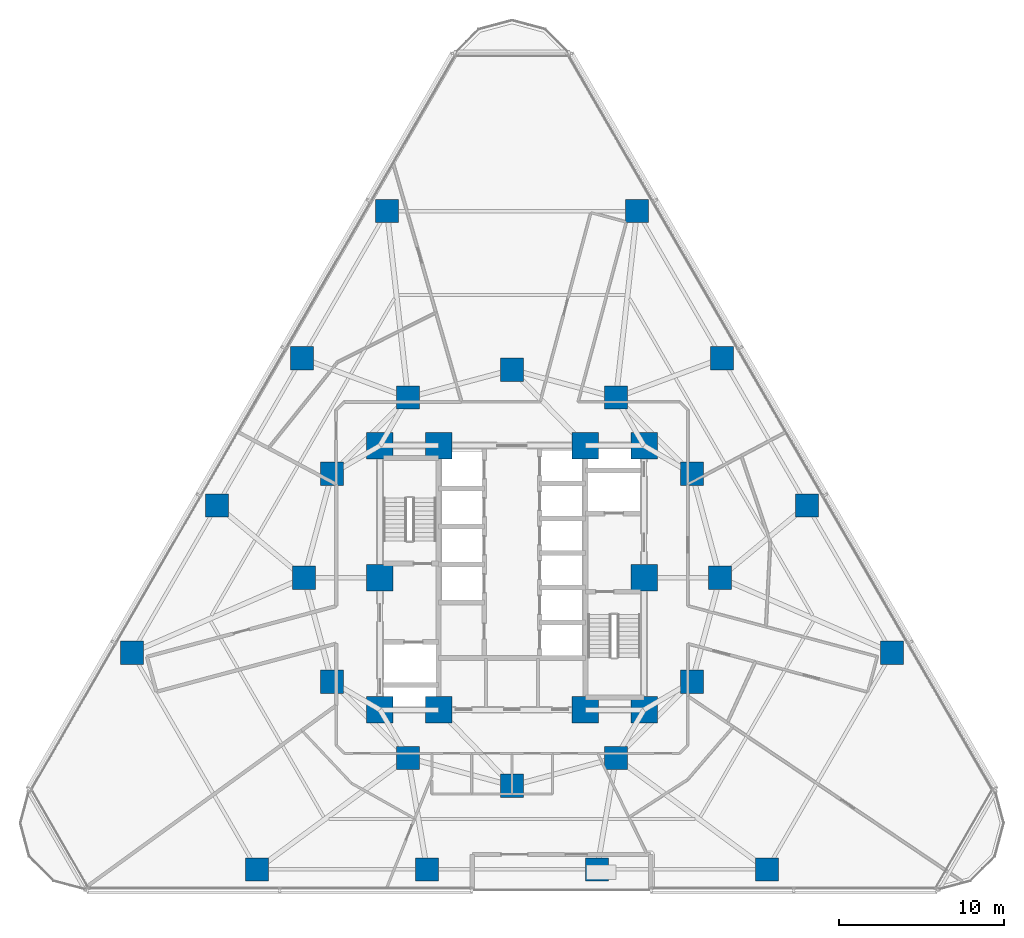
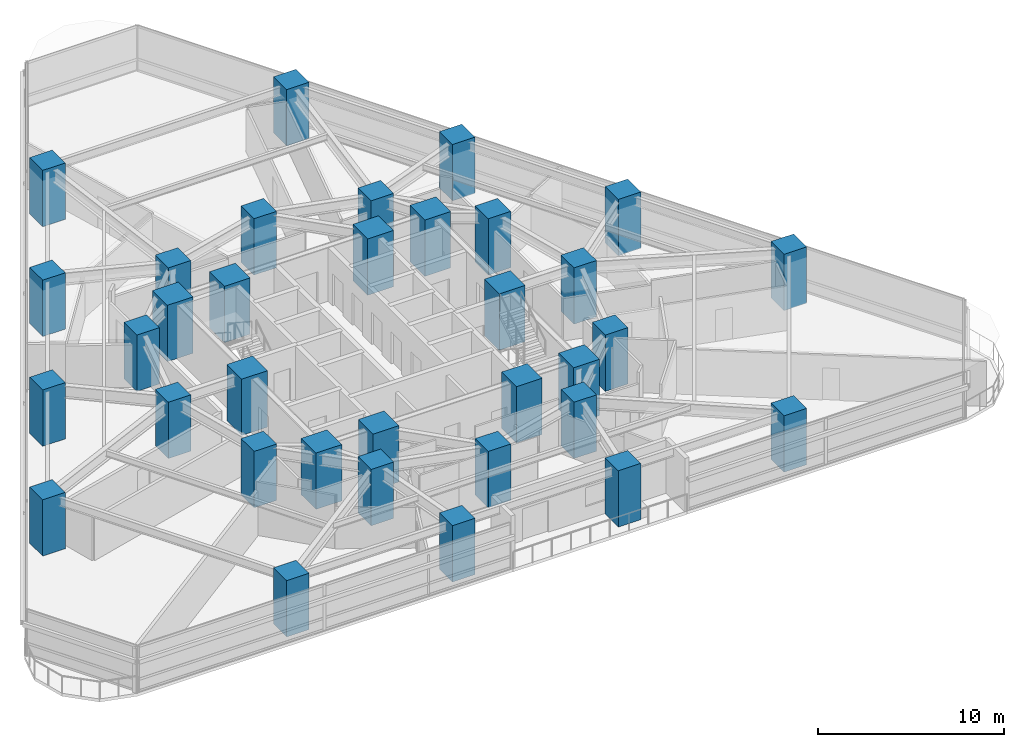
# One storey, part 1 of 16: 34 columns.
"""IFC4 building model written with IfcOpenShell, lengths in metres."""

from ifc_helpers import new_model, si_unit, direction, frame, origin, origin_2d, place, context, subcontext, project, spatial, rectangle, extrude, material, material_profile, profile_set, type_object, element, save


model = new_model("IFC4")

# Units and contexts
model_context = context("Model", 3, precision=1e-05, world=origin(), true_north=direction((0.0, 1.0)))
body_context = subcontext(model_context, "Body", "Model", "MODEL_VIEW")
ifc_project = project(units=[si_unit("LENGTHUNIT", "METRE"), si_unit("AREAUNIT", "SQUARE_METRE"), si_unit("VOLUMEUNIT", "CUBIC_METRE"), si_unit("PLANEANGLEUNIT", "RADIAN"), si_unit("MASSUNIT", "GRAM", prefix="KILO")], contexts=[model_context])

# Site, building, storey
site_placement = place(None, origin())
site = spatial("IfcSite", under=ifc_project, at=site_placement, CompositionType="ELEMENT")
building_placement = place(site_placement, origin())
building = spatial("IfcBuilding", under=site, at=building_placement, Name="Terralouvre Media Tower", CompositionType="ELEMENT")
storey_placement = place(building_placement, frame((0.0, 0.0, 44.5)))
storey = spatial("IfcBuildingStorey", under=building, at=storey_placement, Name="L10", CompositionType="ELEMENT", Elevation=44.5)

# Columns
ifc_material_1 = material(Name="Concrete C60/75", Category="concrete")
ifc_material_profile_1 = material_profile(ifc_material_1, rectangle(XDim=1.39990234375, YDim=1.39990234375, at=origin_2d()), Name="RC 1400x1400")
ifc_profile_set_1 = profile_set([ifc_material_profile_1], Name="Concrete C60/75")
column_type_1 = type_object("IfcColumnType", Name="Structural Column C-RC1400 (RC 1400x1400)", PredefinedType="COLUMN", material=ifc_profile_set_1)
for number, where, z_axis, x_axis, name in (
    (1, (12.60009765625, 0.0, 0.0), (0.0, 0.0, 1.0), (1.0, 0.0, 0.0), "L10 Mega-Frame Column MC01"),
    (2, (10.911865234375, 6.300048828125, 0.0), (0.0, 0.0, 1.0), (1.0, 0.0, 0.0), "L10 Mega-Frame Column MC02"),
    (3, (6.300048828125, 10.911865234375, 0.0), (0.0, 0.0, 1.0), (1.0, 0.0, 0.0), "L10 Mega-Frame Column MC03"),
    (4, (0.0, 12.60009765625, 0.0), (0.0, 0.0, 1.0), (1.0, 0.0, 0.0), "L10 Mega-Frame Column MC04"),
    (5, (-6.300048828125, 10.911865234375, 0.0), (0.0, 0.0, 1.0), (1.0, 0.0, 0.0), "L10 Mega-Frame Column MC05"),
    (6, (-10.911865234375, 6.300048828125, 0.0), (0.0, 0.0, 1.0), (1.0, 0.0, 0.0), "L10 Mega-Frame Column MC06"),
    (7, (-12.60009765625, 0.0, 0.0), (0.0, 0.0, 1.0), (1.0, 0.0, 0.0), "L10 Mega-Frame Column MC07"),
    (8, (-10.911865234375, -6.300048828125, 0.0), (0.0, 0.0, 1.0), (1.0, 0.0, 0.0), "L10 Mega-Frame Column MC08"),
    (9, (-6.300048828125, -10.911865234375, 0.0), (0.0, 0.0, 1.0), (1.0, 0.0, 0.0), "L10 Mega-Frame Column MC09"),
    (10, (0.0, -12.60009765625, 0.0), (0.0, 0.0, 1.0), (1.0, 0.0, 0.0), "L10 Mega-Frame Column MC10"),
    (11, (6.300048828125, -10.911865234375, 0.0), (0.0, 0.0, 1.0), (1.0, 0.0, 0.0), "L10 Mega-Frame Column MC11"),
    (12, (10.911865234375, -6.300048828125, 0.0), (0.0, 0.0, 1.0), (1.0, 0.0, 0.0), "L10 Mega-Frame Column MC12"),
    (13, (-15.449951171875, -17.666748046875, 0.0), (0.0, 0.0, 1.0), (1.0, 0.0, 0.0), "L10 Perimeter Mega-Column PC11"),
    (14, (-5.14990234375, -17.666748046875, 0.0), (0.0, 0.0, 1.0), (1.0, 0.0, 0.0), "L10 Perimeter Mega-Column PC12"),
    (15, (5.14990234375, -17.666748046875, 0.0), (0.0, 0.0, 1.0), (1.0, 0.0, 0.0), "L10 Perimeter Mega-Column PC13"),
    (16, (15.449951171875, -17.666748046875, 0.0), (0.0, 0.0, 1.0), (1.0, 0.0, 0.0), "L10 Perimeter Mega-Column PC14"),
    (17, (23.02490234375, -4.546630859375, 0.0), (0.0, 0.0, 1.0), (1.0, 0.0, 0.0), "L10 Perimeter Mega-Column PC21"),
    (18, (17.874755859375, 4.373291015625, 0.0), (0.0, 0.0, 1.0), (1.0, 0.0, 0.0), "L10 Perimeter Mega-Column PC22"),
    (19, (12.724853515625, 13.29345703125, 0.0), (0.0, 0.0, 1.0), (1.0, 0.0, 0.0), "L10 Perimeter Mega-Column PC23"),
    (20, (7.574951171875, 22.21337890625, 0.0), (0.0, 0.0, 1.0), (1.0, 0.0, 0.0), "L10 Perimeter Mega-Column PC24"),
    (21, (-7.574951171875, 22.21337890625, 0.0), (0.0, 0.0, 1.0), (1.0, 0.0, 0.0), "L10 Perimeter Mega-Column PC31"),
    (22, (-12.724853515625, 13.29345703125, 0.0), (0.0, 0.0, 1.0), (1.0, 0.0, 0.0), "L10 Perimeter Mega-Column PC32"),
    (23, (-17.874755859375, 4.373291015625, 0.0), (0.0, 0.0, 1.0), (1.0, 0.0, 0.0), "L10 Perimeter Mega-Column PC33"),
    (24, (-23.02490234375, -4.546630859375, 0.0), (0.0, 0.0, 1.0), (1.0, 0.0, 0.0), "L10 Perimeter Mega-Column PC34"),
):
    element("IfcColumn", number, at=place(storey_placement, frame(where, z_axis=z_axis, x_axis=x_axis)), inside=storey, type_object=column_type_1, Name=name, PredefinedType="COLUMN", context=body_context, shape_type="SweptSolid", body=[
        extrude(rectangle(XDim=1.39990234375, YDim=1.39990234375, at=origin_2d()), origin(), (0.0, 0.0, 1.0), 3.699951171875),
    ])
ifc_material_2 = material(Name="Concrete C60/75", Category="concrete")
ifc_material_profile_2 = material_profile(ifc_material_2, rectangle(XDim=1.60009765625, YDim=1.60009765625, at=origin_2d()), Name="RC 1600x1600")
ifc_profile_set_2 = profile_set([ifc_material_profile_2], Name="Concrete C60/75")
column_type_2 = type_object("IfcColumnType", Name="Structural Column C-RC1600 (RC 1600x1600)", PredefinedType="COLUMN", material=ifc_profile_set_2)
for number, where, z_axis, x_axis, name in (
    (25, (-8.0, -8.0, 0.0), (0.0, 0.0, 1.0), (1.0, 0.0, 0.0), "L10 Core Pilaster Column CP1"),
    (26, (-4.449951171875, -8.0, 0.0), (0.0, 0.0, 1.0), (1.0, 0.0, 0.0), "L10 Core Pilaster Column CP2"),
    (27, (4.449951171875, -8.0, 0.0), (0.0, 0.0, 1.0), (1.0, 0.0, 0.0), "L10 Core Pilaster Column CP10"),
    (28, (8.0, -8.0, 0.0), (0.0, 0.0, 1.0), (1.0, 0.0, 0.0), "L10 Core Pilaster Column CP3"),
    (29, (8.0, 0.0, 0.0), (0.0, 0.0, 1.0), (1.0, 0.0, 0.0), "L10 Core Pilaster Column CP4"),
    (30, (8.0, 8.0, 0.0), (0.0, 0.0, 1.0), (1.0, 0.0, 0.0), "L10 Core Pilaster Column CP5"),
    (31, (4.449951171875, 8.0, 0.0), (0.0, 0.0, 1.0), (1.0, 0.0, 0.0), "L10 Core Pilaster Column CP9"),
    (32, (-4.449951171875, 8.0, 0.0), (0.0, 0.0, 1.0), (1.0, 0.0, 0.0), "L10 Core Pilaster Column CP6"),
    (33, (-8.0, 8.0, 0.0), (0.0, 0.0, 1.0), (1.0, 0.0, 0.0), "L10 Core Pilaster Column CP7"),
    (34, (-8.0, 0.0, 0.0), (0.0, 0.0, 1.0), (1.0, 0.0, 0.0), "L10 Core Pilaster Column CP8"),
):
    element("IfcColumn", number, at=place(storey_placement, frame(where, z_axis=z_axis, x_axis=x_axis)), inside=storey, type_object=column_type_2, Name=name, PredefinedType="COLUMN", context=body_context, shape_type="SweptSolid", body=[
        extrude(rectangle(XDim=1.60009765625, YDim=1.60009765625, at=origin_2d()), origin(), (0.0, 0.0, 1.0), 3.699951171875),
    ])

save(model, "model.ifc")
